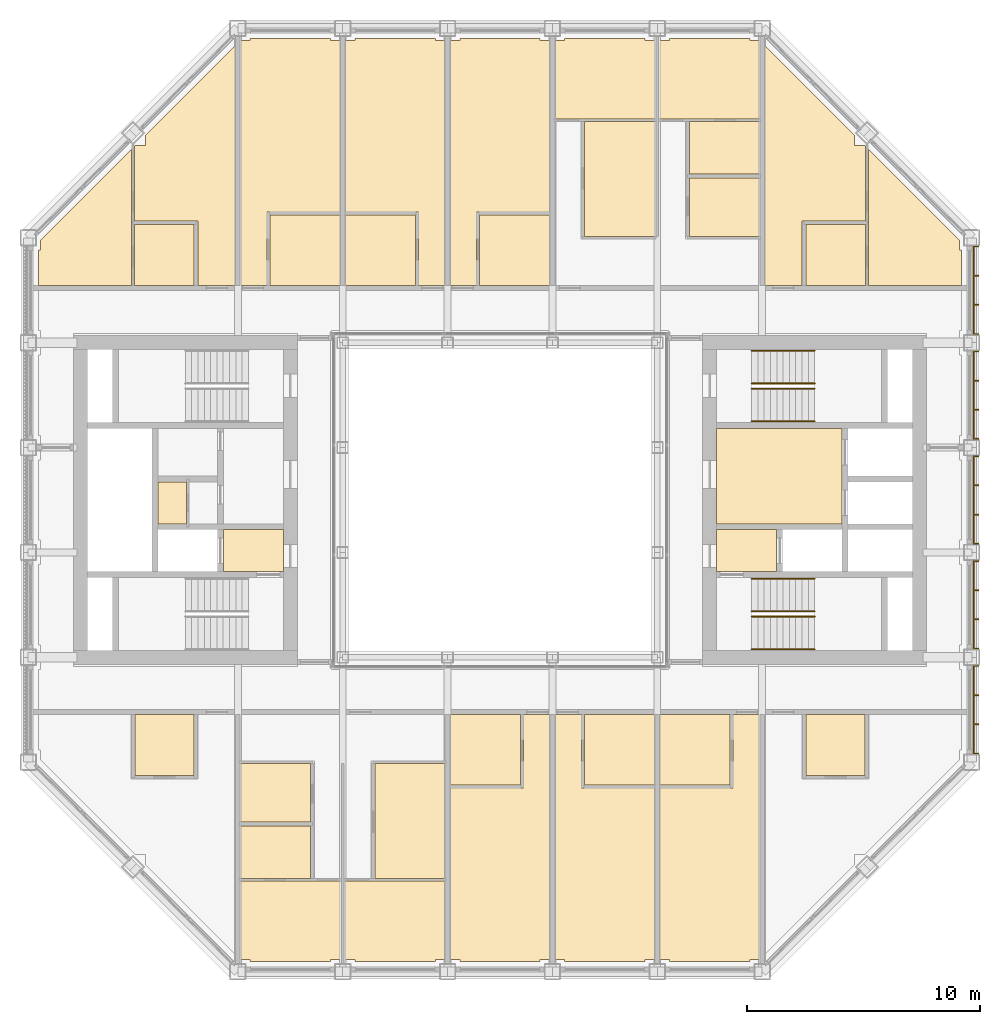
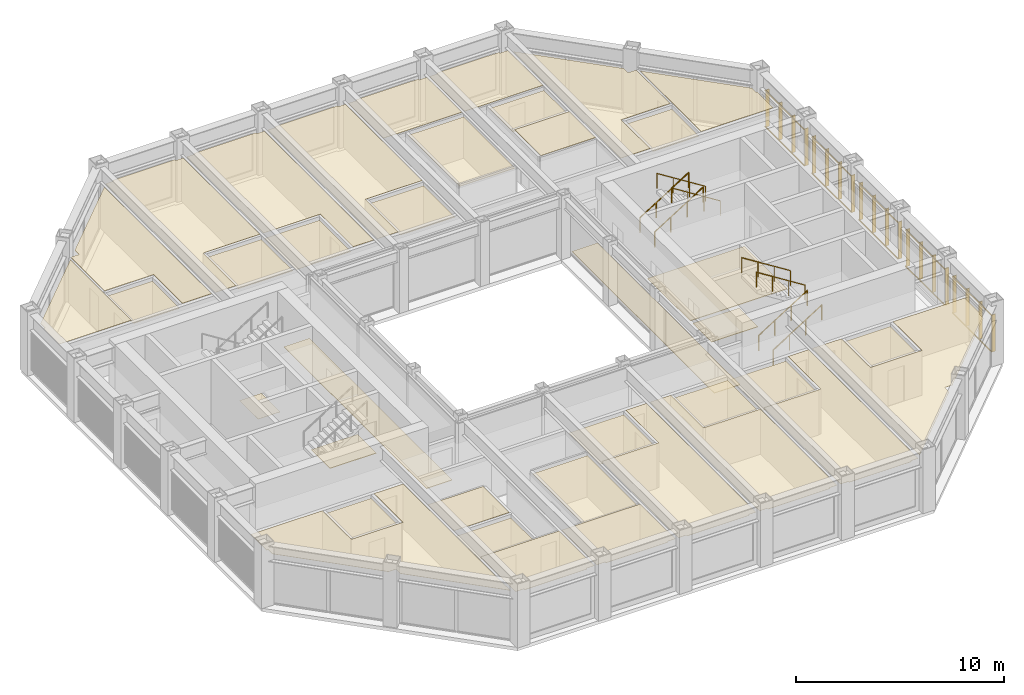
# One storey, part 17 of 18: 8 railings, 4 coverings, 1 shading device.
"""IFC4 building model written with IfcOpenShell, lengths in metres."""

from ifc_helpers import new_model, si_unit, direction, frame, origin, origin_2d, place, context, subcontext, project, spatial, line, indexed_curve, rectangle, circle, outline, extrude, material, layer, layer_set, type_object, element, save


model = new_model("IFC4")

# Units and contexts
model_context = context("Model", 3, precision=1e-05, world=origin(), true_north=direction((0.0, 1.0)))
body_context = subcontext(model_context, "Body", "Model", "MODEL_VIEW")
ifc_project = project(units=[si_unit("LENGTHUNIT", "METRE"), si_unit("AREAUNIT", "SQUARE_METRE"), si_unit("VOLUMEUNIT", "CUBIC_METRE"), si_unit("PLANEANGLEUNIT", "RADIAN"), si_unit("MASSUNIT", "GRAM", prefix="KILO")], contexts=[model_context])

# Site, building, storey
site_placement = place(None, origin())
site = spatial("IfcSite", under=ifc_project, at=site_placement, CompositionType="ELEMENT")
building_placement = place(site_placement, origin())
building = spatial("IfcBuilding", under=site, at=building_placement, Name="Msasa Ring Tower", CompositionType="ELEMENT")
storey_placement = place(building_placement, frame((0.0, 0.0, 230.800048828125)))
storey = spatial("IfcBuildingStorey", under=building, at=storey_placement, Name="L60", CompositionType="ELEMENT", Elevation=230.800048828125)

# Shading device
ifc_material_1 = material(Name="Extruded terracotta on aluminium carriers", Category="masonry")
shading_device_type = type_object("IfcShadingDeviceType", Name="BS2 TERRACOTTA FIN SCREEN 40x200 AT 1350", PredefinedType="USERDEFINED", material=ifc_material_1)
shading_device_placement = place(storey_placement, origin())
element("IfcShadingDevice", 1, at=shading_device_placement, inside=storey, type_object=shading_device_type, Name="Terracotta fin screen E L60", ObjectType="BAGUETTE", PredefinedType="USERDEFINED", context=body_context, shape_type="SweptSolid", body=[
    extrude(rectangle(XDim=0.06005859375, YDim=0.0400390625, at=origin_2d()), frame((20.330078125, -10.89990234375, 0.329833984375), z_axis=(0.0, 1.0, 0.0), x_axis=(0.0, 0.0, 1.0)), (0.0, 0.0, 1.0), 3.800048828125),
    extrude(rectangle(XDim=0.06005859375, YDim=0.0400390625, at=origin_2d()), frame((20.330078125, -10.89990234375, 2.448974609375), z_axis=(0.0, 1.0, 0.0), x_axis=(0.0, 0.0, 1.0)), (0.0, 0.0, 1.0), 3.800048828125),
    extrude(rectangle(XDim=0.0400390625, YDim=0.199951171875, at=origin_2d()), frame((20.445068359375, -10.8798828125, 0.300048828125), z_axis=(0.0, 0.0, 1.0), x_axis=(0.0, 1.0, 0.0)), (0.0, 0.0, 1.0), 2.178955078125),
    extrude(rectangle(XDim=0.0400390625, YDim=0.199951171875, at=origin_2d()), frame((20.445068359375, -9.626708984375, 0.300048828125), z_axis=(0.0, 0.0, 1.0), x_axis=(0.0, 1.0, 0.0)), (0.0, 0.0, 1.0), 2.178955078125),
    extrude(rectangle(XDim=0.0400390625, YDim=0.199951171875, at=origin_2d()), frame((20.445068359375, -8.373291015625, 0.300048828125), z_axis=(0.0, 0.0, 1.0), x_axis=(0.0, 1.0, 0.0)), (0.0, 0.0, 1.0), 2.178955078125),
    extrude(rectangle(XDim=0.0400390625, YDim=0.199951171875, at=origin_2d()), frame((20.445068359375, -7.1201171875, 0.300048828125), z_axis=(0.0, 0.0, 1.0), x_axis=(0.0, 1.0, 0.0)), (0.0, 0.0, 1.0), 2.178955078125),
    extrude(rectangle(XDim=0.06005859375, YDim=0.0400390625, at=origin_2d()), frame((20.330078125, -6.39990234375, 0.329833984375), z_axis=(0.0, 1.0, 0.0), x_axis=(0.0, 0.0, 1.0)), (0.0, 0.0, 1.0), 3.800048828125),
    extrude(rectangle(XDim=0.06005859375, YDim=0.0400390625, at=origin_2d()), frame((20.330078125, -6.39990234375, 2.448974609375), z_axis=(0.0, 1.0, 0.0), x_axis=(0.0, 0.0, 1.0)), (0.0, 0.0, 1.0), 3.800048828125),
    extrude(rectangle(XDim=0.0400390625, YDim=0.199951171875, at=origin_2d()), frame((20.445068359375, -6.3798828125, 0.300048828125), z_axis=(0.0, 0.0, 1.0), x_axis=(0.0, 1.0, 0.0)), (0.0, 0.0, 1.0), 2.178955078125),
    extrude(rectangle(XDim=0.0400390625, YDim=0.199951171875, at=origin_2d()), frame((20.445068359375, -5.126708984375, 0.300048828125), z_axis=(0.0, 0.0, 1.0), x_axis=(0.0, 1.0, 0.0)), (0.0, 0.0, 1.0), 2.178955078125),
    extrude(rectangle(XDim=0.0400390625, YDim=0.199951171875, at=origin_2d()), frame((20.445068359375, -3.873291015625, 0.300048828125), z_axis=(0.0, 0.0, 1.0), x_axis=(0.0, 1.0, 0.0)), (0.0, 0.0, 1.0), 2.178955078125),
    extrude(rectangle(XDim=0.0400390625, YDim=0.199951171875, at=origin_2d()), frame((20.445068359375, -2.6201171875, 0.300048828125), z_axis=(0.0, 0.0, 1.0), x_axis=(0.0, 1.0, 0.0)), (0.0, 0.0, 1.0), 2.178955078125),
    extrude(rectangle(XDim=0.06005859375, YDim=0.0400390625, at=origin_2d()), frame((20.330078125, -1.89990234375, 0.329833984375), z_axis=(0.0, 1.0, 0.0), x_axis=(0.0, 0.0, 1.0)), (0.0, 0.0, 1.0), 3.800048828125),
    extrude(rectangle(XDim=0.06005859375, YDim=0.0400390625, at=origin_2d()), frame((20.330078125, -1.89990234375, 2.448974609375), z_axis=(0.0, 1.0, 0.0), x_axis=(0.0, 0.0, 1.0)), (0.0, 0.0, 1.0), 3.800048828125),
    extrude(rectangle(XDim=0.0400390625, YDim=0.199951171875, at=origin_2d()), frame((20.445068359375, -1.8798828125, 0.300048828125), z_axis=(0.0, 0.0, 1.0), x_axis=(0.0, 1.0, 0.0)), (0.0, 0.0, 1.0), 2.178955078125),
    extrude(rectangle(XDim=0.0400390625, YDim=0.199951171875, at=origin_2d()), frame((20.445068359375, -0.626708984375, 0.300048828125), z_axis=(0.0, 0.0, 1.0), x_axis=(0.0, 1.0, 0.0)), (0.0, 0.0, 1.0), 2.178955078125),
    extrude(rectangle(XDim=0.0400390625, YDim=0.199951171875, at=origin_2d()), frame((20.445068359375, 0.626708984375, 0.300048828125), z_axis=(0.0, 0.0, 1.0), x_axis=(0.0, 1.0, 0.0)), (0.0, 0.0, 1.0), 2.178955078125),
    extrude(rectangle(XDim=0.0400390625, YDim=0.199951171875, at=origin_2d()), frame((20.445068359375, 1.8798828125, 0.300048828125), z_axis=(0.0, 0.0, 1.0), x_axis=(0.0, 1.0, 0.0)), (0.0, 0.0, 1.0), 2.178955078125),
    extrude(rectangle(XDim=0.06005859375, YDim=0.0400390625, at=origin_2d()), frame((20.330078125, 2.60009765625, 0.329833984375), z_axis=(0.0, 1.0, 0.0), x_axis=(0.0, 0.0, 1.0)), (0.0, 0.0, 1.0), 3.800048828125),
    extrude(rectangle(XDim=0.06005859375, YDim=0.0400390625, at=origin_2d()), frame((20.330078125, 2.60009765625, 2.448974609375), z_axis=(0.0, 1.0, 0.0), x_axis=(0.0, 0.0, 1.0)), (0.0, 0.0, 1.0), 3.800048828125),
    extrude(rectangle(XDim=0.0400390625, YDim=0.199951171875, at=origin_2d()), frame((20.445068359375, 2.6201171875, 0.300048828125), z_axis=(0.0, 0.0, 1.0), x_axis=(0.0, 1.0, 0.0)), (0.0, 0.0, 1.0), 2.178955078125),
    extrude(rectangle(XDim=0.0400390625, YDim=0.199951171875, at=origin_2d()), frame((20.445068359375, 3.873291015625, 0.300048828125), z_axis=(0.0, 0.0, 1.0), x_axis=(0.0, 1.0, 0.0)), (0.0, 0.0, 1.0), 2.178955078125),
    extrude(rectangle(XDim=0.0400390625, YDim=0.199951171875, at=origin_2d()), frame((20.445068359375, 5.126708984375, 0.300048828125), z_axis=(0.0, 0.0, 1.0), x_axis=(0.0, 1.0, 0.0)), (0.0, 0.0, 1.0), 2.178955078125),
    extrude(rectangle(XDim=0.0400390625, YDim=0.199951171875, at=origin_2d()), frame((20.445068359375, 6.3798828125, 0.300048828125), z_axis=(0.0, 0.0, 1.0), x_axis=(0.0, 1.0, 0.0)), (0.0, 0.0, 1.0), 2.178955078125),
    extrude(rectangle(XDim=0.06005859375, YDim=0.0400390625, at=origin_2d()), frame((20.330078125, 7.10009765625, 0.329833984375), z_axis=(0.0, 1.0, 0.0), x_axis=(0.0, 0.0, 1.0)), (0.0, 0.0, 1.0), 3.800048828125),
    extrude(rectangle(XDim=0.06005859375, YDim=0.0400390625, at=origin_2d()), frame((20.330078125, 7.10009765625, 2.448974609375), z_axis=(0.0, 1.0, 0.0), x_axis=(0.0, 0.0, 1.0)), (0.0, 0.0, 1.0), 3.800048828125),
    extrude(rectangle(XDim=0.0400390625, YDim=0.199951171875, at=origin_2d()), frame((20.445068359375, 7.1201171875, 0.300048828125), z_axis=(0.0, 0.0, 1.0), x_axis=(0.0, 1.0, 0.0)), (0.0, 0.0, 1.0), 2.178955078125),
    extrude(rectangle(XDim=0.0400390625, YDim=0.199951171875, at=origin_2d()), frame((20.445068359375, 8.373291015625, 0.300048828125), z_axis=(0.0, 0.0, 1.0), x_axis=(0.0, 1.0, 0.0)), (0.0, 0.0, 1.0), 2.178955078125),
    extrude(rectangle(XDim=0.0400390625, YDim=0.199951171875, at=origin_2d()), frame((20.445068359375, 9.626708984375, 0.300048828125), z_axis=(0.0, 0.0, 1.0), x_axis=(0.0, 1.0, 0.0)), (0.0, 0.0, 1.0), 2.178955078125),
    extrude(rectangle(XDim=0.0400390625, YDim=0.199951171875, at=origin_2d()), frame((20.445068359375, 10.8798828125, 0.300048828125), z_axis=(0.0, 0.0, 1.0), x_axis=(0.0, 1.0, 0.0)), (0.0, 0.0, 1.0), 2.178955078125),
])

# Coverings
ifc_material_2 = material(Name="Gypsum plasterboard on a steel suspension grid", Category="steel")
ifc_layer_1 = layer(ifc_material_2, 0.014892578125)
ifc_layer_set_1 = layer_set([ifc_layer_1], Name="C1 SUSPENDED PLASTERBOARD CEILING 15")
covering_type_1 = type_object("IfcCoveringType", Name="C1 SUSPENDED PLASTERBOARD CEILING 15", PredefinedType="CEILING", material=ifc_layer_set_1)
covering_1_placement = place(storey_placement, frame((0.0, 0.0, 2.634033203125)))
element("IfcCovering", 2, at=covering_1_placement, inside=storey, type_object=covering_type_1, Name="Suspended Plasterboard Ceiling 15 L60", PredefinedType="CEILING", context=body_context, shape_type="SweptSolid", body=[
    extrude(outline(indexed_curve([(-12.969482421875, -11.98046875), (-12.969482421875, -9.200439453125), (-11.3505859375, -9.200439453125), (-11.3505859375, -19.512451171875), (-15.224609375, -15.638427734375), (-15.224609375, -15.224609375), (-15.638427734375, -15.224609375), (-19.724609375, -11.138427734375), (-19.724609375, -10.724609375), (-19.799560546875, -10.724609375), (-19.799560546875, -9.200439453125), (-15.83056640625, -9.200439453125), (-15.83056640625, -11.98046875)], segments=[line(1, 2, 3, 4, 5, 6, 7, 8, 9, 10, 11, 12, 13, 1)], self_intersect=False)), origin(), (0.0, 0.0, 1.0), 0.014892578125),
    extrude(outline(indexed_curve([(-19.799560546875, 9.200439453125), (-19.799560546875, 10.724609375), (-19.724609375, 10.724609375), (-19.724609375, 11.138427734375), (-15.810546875, 15.052490234375), (-15.810546875, 9.200439453125)], segments=[line(1, 2, 3, 4, 5, 6, 1)], self_intersect=False)), origin(), (0.0, 0.0, 1.0), 0.014892578125),
    extrude(outline(indexed_curve([(-15.638427734375, 15.224609375), (-15.224609375, 15.224609375), (-15.224609375, 15.638427734375), (-11.3505859375, 19.512451171875), (-11.3505859375, 9.200439453125), (-12.969482421875, 9.200439453125), (-12.969482421875, 11.98046875), (-15.689453125, 11.98046875), (-15.689453125, 15.17333984375)], segments=[line(1, 2, 3, 4, 5, 6, 7, 8, 9, 1)], self_intersect=False)), origin(), (0.0, 0.0, 1.0), 0.014892578125),
    extrude(outline(indexed_curve([(-14.674560546875, 0.7744140625), (-13.45556640625, 0.7744140625), (-13.45556640625, -1.0244140625), (-14.674560546875, -1.0244140625)], segments=[line(1, 2, 3, 4, 1)], self_intersect=False)), origin(), (0.0, 0.0, 1.0), 0.014892578125),
    extrude(outline(indexed_curve([(-11.189453125, -16.35546875), (-6.810546875, -16.35546875), (-6.810546875, -19.724609375), (-7.275390625, -19.724609375), (-7.275390625, -19.799560546875), (-10.724609375, -19.799560546875), (-10.724609375, -19.724609375), (-11.138427734375, -19.724609375), (-11.189453125, -19.67333984375)], segments=[line(1, 2, 3, 4, 5, 6, 7, 8, 9, 1)], self_intersect=False)), origin(), (0.0, 0.0, 1.0), 0.014892578125),
    extrude(outline(indexed_curve([(-11.189453125, -11.305419921875), (-8.130615234375, -11.305419921875), (-8.130615234375, -13.819580078125), (-11.189453125, -13.819580078125)], segments=[line(1, 2, 3, 4, 1)], self_intersect=False)), origin(), (0.0, 0.0, 1.0), 0.014892578125),
    extrude(outline(indexed_curve([(-11.1494140625, 9.200439453125), (-11.1494140625, 19.71337890625), (-11.138427734375, 19.724609375), (-10.724609375, 19.724609375), (-10.724609375, 19.799560546875), (-7.275390625, 19.799560546875), (-7.275390625, 19.724609375), (-6.8505859375, 19.724609375), (-6.8505859375, 12.3505859375), (-10.00048828125, 12.3505859375), (-10.00048828125, 9.200439453125)], segments=[line(1, 2, 3, 4, 5, 6, 7, 8, 9, 10, 11, 1)], self_intersect=False)), origin(), (0.0, 0.0, 1.0), 0.014892578125),
    extrude(outline(indexed_curve([(-2.310546875, -16.35546875), (-2.310546875, -19.724609375), (-2.775390625, -19.724609375), (-2.775390625, -19.799560546875), (-6.224609375, -19.799560546875), (-6.224609375, -19.724609375), (-6.689453125, -19.724609375), (-6.689453125, -16.35546875)], segments=[line(1, 2, 3, 4, 5, 6, 7, 8, 1)], self_intersect=False)), origin(), (0.0, 0.0, 1.0), 0.014892578125),
    extrude(outline(indexed_curve([(-2.3505859375, 9.200439453125), (-3.49951171875, 9.200439453125), (-3.49951171875, 12.3505859375), (-6.6494140625, 12.3505859375), (-6.6494140625, 19.724609375), (-6.224609375, 19.724609375), (-6.224609375, 19.799560546875), (-2.775390625, 19.799560546875), (-2.775390625, 19.724609375), (-2.3505859375, 19.724609375)], segments=[line(1, 2, 3, 4, 5, 6, 7, 8, 9, 10, 1)], self_intersect=False)), origin(), (0.0, 0.0, 1.0), 0.014892578125),
    extrude(outline(indexed_curve([(2.1494140625, -9.200439453125), (2.1494140625, -19.724609375), (1.724609375, -19.724609375), (1.724609375, -19.799560546875), (-1.724609375, -19.799560546875), (-1.724609375, -19.724609375), (-2.1494140625, -19.724609375), (-2.1494140625, -12.3505859375), (1.00048828125, -12.3505859375), (1.00048828125, -9.200439453125)], segments=[line(1, 2, 3, 4, 5, 6, 7, 8, 9, 10, 1)], self_intersect=False)), origin(), (0.0, 0.0, 1.0), 0.014892578125),
    extrude(outline(indexed_curve([(-2.1494140625, 9.200439453125), (-2.1494140625, 19.724609375), (-1.724609375, 19.724609375), (-1.724609375, 19.799560546875), (1.724609375, 19.799560546875), (1.724609375, 19.724609375), (2.1494140625, 19.724609375), (2.1494140625, 12.3505859375), (-1.00048828125, 12.3505859375), (-1.00048828125, 9.200439453125)], segments=[line(1, 2, 3, 4, 5, 6, 7, 8, 9, 10, 1)], self_intersect=False)), origin(), (0.0, 0.0, 1.0), 0.014892578125),
    extrude(outline(indexed_curve([(2.310546875, 19.724609375), (2.775390625, 19.724609375), (2.775390625, 19.799560546875), (6.224609375, 19.799560546875), (6.224609375, 19.724609375), (6.689453125, 19.724609375), (6.689453125, 16.35546875), (2.310546875, 16.35546875)], segments=[line(1, 2, 3, 4, 5, 6, 7, 8, 1)], self_intersect=False)), origin(), (0.0, 0.0, 1.0), 0.014892578125),
    extrude(outline(indexed_curve([(2.775390625, -19.799560546875), (2.775390625, -19.724609375), (2.3505859375, -19.724609375), (2.3505859375, -9.200439453125), (3.49951171875, -9.200439453125), (3.49951171875, -12.3505859375), (6.6494140625, -12.3505859375), (6.6494140625, -19.724609375), (6.224609375, -19.724609375), (6.224609375, -19.799560546875)], segments=[line(1, 2, 3, 4, 5, 6, 7, 8, 9, 10, 1)], self_intersect=False)), origin(), (0.0, 0.0, 1.0), 0.014892578125),
    extrude(outline(indexed_curve([(6.810546875, 16.35546875), (6.810546875, 19.724609375), (7.275390625, 19.724609375), (7.275390625, 19.799560546875), (10.724609375, 19.799560546875), (10.724609375, 19.724609375), (11.138427734375, 19.724609375), (11.189453125, 19.67333984375), (11.189453125, 16.35546875)], segments=[line(1, 2, 3, 4, 5, 6, 7, 8, 9, 1)], self_intersect=False)), origin(), (0.0, 0.0, 1.0), 0.014892578125),
    extrude(outline(indexed_curve([(11.1494140625, -9.200439453125), (11.1494140625, -19.71337890625), (11.138427734375, -19.724609375), (10.724609375, -19.724609375), (10.724609375, -19.799560546875), (7.275390625, -19.799560546875), (7.275390625, -19.724609375), (6.8505859375, -19.724609375), (6.8505859375, -12.3505859375), (10.00048828125, -12.3505859375), (10.00048828125, -9.200439453125)], segments=[line(1, 2, 3, 4, 5, 6, 7, 8, 9, 10, 11, 1)], self_intersect=False)), origin(), (0.0, 0.0, 1.0), 0.014892578125),
    extrude(outline(indexed_curve([(8.130615234375, 13.819580078125), (11.189453125, 13.819580078125), (11.189453125, 11.305419921875), (8.130615234375, 11.305419921875)], segments=[line(1, 2, 3, 4, 1)], self_intersect=False)), origin(), (0.0, 0.0, 1.0), 0.014892578125),
    extrude(outline(indexed_curve([(19.799560546875, -10.724609375), (19.724609375, -10.724609375), (19.724609375, -11.138427734375), (15.638427734375, -15.224609375), (15.224609375, -15.224609375), (15.224609375, -15.638427734375), (11.3505859375, -19.512451171875), (11.3505859375, -9.200439453125), (12.969482421875, -9.200439453125), (12.969482421875, -11.98046875), (15.83056640625, -11.98046875), (15.83056640625, -9.200439453125), (19.799560546875, -9.200439453125)], segments=[line(1, 2, 3, 4, 5, 6, 7, 8, 9, 10, 11, 12, 13, 1)], self_intersect=False)), origin(), (0.0, 0.0, 1.0), 0.014892578125),
    extrude(outline(indexed_curve([(11.3505859375, 9.200439453125), (11.3505859375, 19.512451171875), (15.224609375, 15.638427734375), (15.224609375, 15.224609375), (15.638427734375, 15.224609375), (15.689453125, 15.17333984375), (15.689453125, 11.98046875), (12.969482421875, 11.98046875), (12.969482421875, 9.200439453125)], segments=[line(1, 2, 3, 4, 5, 6, 7, 8, 9, 1)], self_intersect=False)), origin(), (0.0, 0.0, 1.0), 0.014892578125),
    extrude(outline(indexed_curve([(15.810546875, 15.052490234375), (19.724609375, 11.138427734375), (19.724609375, 10.724609375), (19.799560546875, 10.724609375), (19.799560546875, 9.200439453125), (15.810546875, 9.200439453125)], segments=[line(1, 2, 3, 4, 5, 6, 1)], self_intersect=False)), origin(), (0.0, 0.0, 1.0), 0.014892578125),
])
ifc_material_3 = material(Name="Moisture-resistant gypsum plasterboard on a steel suspension grid", Category="steel")
ifc_layer_2 = layer(ifc_material_3, 0.014892578125)
ifc_layer_set_2 = layer_set([ifc_layer_2], Name="C2 MOISTURE-RESISTANT PLASTERBOARD CEILING 15")
covering_type_2 = type_object("IfcCoveringType", Name="C2 MOISTURE-RESISTANT PLASTERBOARD CEILING 15", PredefinedType="CEILING", material=ifc_layer_set_2)
covering_2_placement = place(storey_placement, frame((0.0, 0.0, 2.39990234375)))
element("IfcCovering", 3, at=covering_2_placement, inside=storey, type_object=covering_type_2, Name="Moisture-Resistant Plasterboard Ceiling 15 L60", PredefinedType="CEILING", context=body_context, shape_type="SweptSolid", body=[
    extrude(outline(indexed_curve([(-15.689453125, 9.200439453125), (-15.689453125, 11.819580078125), (-13.130615234375, 11.819580078125), (-13.130615234375, 9.200439453125)], segments=[line(1, 2, 3, 4, 1)], self_intersect=False)), origin(), (0.0, 0.0, 1.0), 0.01513671875),
    extrude(outline(indexed_curve([(-15.66943359375, -9.200439453125), (-13.130615234375, -9.200439453125), (-13.130615234375, -11.819580078125), (-15.66943359375, -11.819580078125)], segments=[line(1, 2, 3, 4, 1)], self_intersect=False)), origin(), (0.0, 0.0, 1.0), 0.01513671875),
    extrude(outline(indexed_curve([(-11.1494140625, -16.244384765625), (-11.1494140625, -13.98046875), (-8.130615234375, -13.98046875), (-8.130615234375, -16.244384765625)], segments=[line(1, 2, 3, 4, 1)], self_intersect=False)), origin(), (0.0, 0.0, 1.0), 0.01513671875),
    extrude(outline(indexed_curve([(-9.87451171875, 9.200439453125), (-9.87451171875, 12.224609375), (-6.8505859375, 12.224609375), (-6.8505859375, 9.200439453125)], segments=[line(1, 2, 3, 4, 1)], self_intersect=False)), origin(), (0.0, 0.0, 1.0), 0.01513671875),
    extrude(outline(indexed_curve([(-6.6494140625, 9.200439453125), (-6.6494140625, 12.224609375), (-3.62548828125, 12.224609375), (-3.62548828125, 9.200439453125)], segments=[line(1, 2, 3, 4, 1)], self_intersect=False)), origin(), (0.0, 0.0, 1.0), 0.01513671875),
    extrude(outline(indexed_curve([(-2.1494140625, -9.200439453125), (0.87451171875, -9.200439453125), (0.87451171875, -12.224609375), (-2.1494140625, -12.224609375)], segments=[line(1, 2, 3, 4, 1)], self_intersect=False)), origin(), (0.0, 0.0, 1.0), 0.01513671875),
    extrude(outline(indexed_curve([(2.1494140625, 9.200439453125), (-0.87451171875, 9.200439453125), (-0.87451171875, 12.224609375), (2.1494140625, 12.224609375)], segments=[line(1, 2, 3, 4, 1)], self_intersect=False)), origin(), (0.0, 0.0, 1.0), 0.01513671875),
    extrude(outline(indexed_curve([(6.6494140625, -9.200439453125), (6.6494140625, -12.224609375), (3.62548828125, -12.224609375), (3.62548828125, -9.200439453125)], segments=[line(1, 2, 3, 4, 1)], self_intersect=False)), origin(), (0.0, 0.0, 1.0), 0.01513671875),
    extrude(outline(indexed_curve([(9.87451171875, -9.200439453125), (9.87451171875, -12.224609375), (6.8505859375, -12.224609375), (6.8505859375, -9.200439453125)], segments=[line(1, 2, 3, 4, 1)], self_intersect=False)), origin(), (0.0, 0.0, 1.0), 0.01513671875),
    extrude(outline(indexed_curve([(8.130615234375, 16.244384765625), (11.1494140625, 16.244384765625), (11.1494140625, 13.98046875), (8.130615234375, 13.98046875)], segments=[line(1, 2, 3, 4, 1)], self_intersect=False)), origin(), (0.0, 0.0, 1.0), 0.01513671875),
    extrude(outline(indexed_curve([(13.130615234375, -9.200439453125), (15.66943359375, -9.200439453125), (15.66943359375, -11.819580078125), (13.130615234375, -11.819580078125)], segments=[line(1, 2, 3, 4, 1)], self_intersect=False)), origin(), (0.0, 0.0, 1.0), 0.01513671875),
    extrude(outline(indexed_curve([(13.130615234375, 9.200439453125), (13.130615234375, 11.819580078125), (15.689453125, 11.819580078125), (15.689453125, 9.200439453125)], segments=[line(1, 2, 3, 4, 1)], self_intersect=False)), origin(), (0.0, 0.0, 1.0), 0.01513671875),
])
ifc_material_4 = material(Name="Perforated aluminium ceiling pans on a steel grid", Category="steel")
ifc_layer_3 = layer(ifc_material_4, 0.02490234375)
ifc_layer_set_3 = layer_set([ifc_layer_3], Name="C4 PERFORATED METAL PAN CEILING 25")
covering_type_3 = type_object("IfcCoveringType", Name="C4 PERFORATED METAL PAN CEILING 25", PredefinedType="CEILING", material=ifc_layer_set_3)
covering_3_placement = place(storey_placement, frame((0.0, 0.0, 2.39990234375)))
element("IfcCovering", 4, at=covering_3_placement, inside=storey, type_object=covering_type_3, Name="Perforated Metal Pan Ceiling 25 L60", PredefinedType="CEILING", context=body_context, shape_type="SweptSolid", body=[
    extrude(outline(indexed_curve([(-2.3505859375, -11.305419921875), (-2.3505859375, -16.244384765625), (-5.369384765625, -16.244384765625), (-5.369384765625, -11.305419921875)], segments=[line(1, 2, 3, 4, 1)], self_intersect=False)), origin(), (0.0, 0.0, 1.0), 0.025146484375),
    extrude(outline(indexed_curve([(6.689453125, 16.244384765625), (6.689453125, 11.305419921875), (3.630615234375, 11.305419921875), (3.630615234375, 16.244384765625)], segments=[line(1, 2, 3, 4, 1)], self_intersect=False)), origin(), (0.0, 0.0, 1.0), 0.025146484375),
])
ifc_material_5 = material(Name="Honed granite tiles on a mortar bed", Category="masonry")
ifc_layer_4 = layer(ifc_material_5, 0.030029296875)
ifc_layer_set_4 = layer_set([ifc_layer_4], Name="F1 HONED GRANITE ON BEDDING 30")
covering_type_4 = type_object("IfcCoveringType", Name="F1 HONED GRANITE ON BEDDING 30", PredefinedType="FLOORING", material=ifc_layer_set_4)
covering_4_placement = place(storey_placement, origin())
element("IfcCovering", 5, at=covering_4_placement, inside=storey, type_object=covering_type_4, Name="Honed Granite On Bedding 30 L60", PredefinedType="FLOORING", context=body_context, shape_type="SweptSolid", body=[
    extrude(outline(indexed_curve([(-11.87451171875, -3.074462890625), (-11.87451171875, -1.275390625), (-9.300537109375, -1.275390625), (-9.300537109375, -3.074462890625)], segments=[line(1, 2, 3, 4, 1)], self_intersect=False)), origin(), (0.0, 0.0, 1.0), 0.030029296875),
    extrude(outline(indexed_curve([(-8.699462890625, -6.849609375), (-8.699462890625, 6.849609375), (-7.280029296875, 6.849609375), (-7.280029296875, -6.849609375)], segments=[line(1, 2, 3, 4, 1)], self_intersect=False)), origin(), (0.0, 0.0, 1.0), 0.030029296875),
    extrude(outline(indexed_curve([(8.699462890625, 6.849609375), (8.699462890625, -6.849609375), (7.280029296875, -6.849609375), (7.280029296875, 6.849609375)], segments=[line(1, 2, 3, 4, 1)], self_intersect=False)), origin(), (0.0, 0.0, 1.0), 0.030029296875),
    extrude(outline(indexed_curve([(9.300537109375, -3.074462890625), (9.300537109375, -1.275390625), (11.87451171875, -1.275390625), (11.87451171875, -3.074462890625)], segments=[line(1, 2, 3, 4, 1)], self_intersect=False)), origin(), (0.0, 0.0, 1.0), 0.030029296875),
    extrude(outline(indexed_curve([(9.300537109375, 3.074462890625), (14.674560546875, 3.074462890625), (14.674560546875, -1.0244140625), (9.300537109375, -1.0244140625)], segments=[line(1, 2, 3, 4, 1)], self_intersect=False)), origin(), (0.0, 0.0, 1.0), 0.030029296875),
])

# Railings
ifc_material_6 = material(Name="Stainless steel", Category="steel")
railing_type = type_object("IfcRailingType", Name="HR1 HANDRAIL 900", PredefinedType="HANDRAIL", material=ifc_material_6)
for number, where, name in (
    (6, (10.800048828125, -6.39990234375, 0.17041015625), "Handrail stair SEA L60 1"),
    (7, (10.800048828125, -5.0, 0.17041015625), "Handrail stair SEA L60 2"),
):
    element("IfcRailing", number, at=place(storey_placement, frame(where)), inside=storey, type_object=railing_type, Name=name, PredefinedType="HANDRAIL", context=body_context, shape_type="SweptSolid", body=[
        extrude(circle(Radius=0.02392578125, at=origin_2d()), frame((0.0, 0.0, 0.8759765625), z_axis=(0.845579735284, 0.0, 0.533849146555), x_axis=(0.0, 1.0, 0.0)), (0.0, 0.0, 1.0), 3.193115234375),
        extrude(circle(Radius=0.02099609375, at=origin_2d()), origin(), (0.0, 0.0, 1.0), 0.851806640625),
        extrude(circle(Radius=0.02099609375, at=origin_2d()), frame((0.89990234375, 0.0, 0.568115234375)), (0.0, 0.0, 1.0), 0.851806640625),
        extrude(circle(Radius=0.02099609375, at=origin_2d()), frame((1.800048828125, 0.0, 1.136474609375)), (0.0, 0.0, 1.0), 0.851806640625),
        extrude(circle(Radius=0.02099609375, at=origin_2d()), frame((2.699951171875, 0.0, 1.70458984375)), (0.0, 0.0, 1.0), 0.851806640625),
    ])
for number, where, name in (
    (8, (13.5, -4.77490234375, 2.04541015625), "Handrail stair SEA L60 3"),
    (9, (13.5, -3.375, 2.04541015625), "Handrail stair SEA L60 4"),
):
    element("IfcRailing", number, at=place(storey_placement, frame(where)), inside=storey, type_object=railing_type, Name=name, PredefinedType="HANDRAIL", context=body_context, shape_type="SweptSolid", body=[
        extrude(circle(Radius=0.02392578125, at=origin_2d()), frame((0.0, 0.0, 0.8759765625), z_axis=(-0.845579735284, 0.0, 0.533849146555), x_axis=(0.0, -1.0, 0.0)), (0.0, 0.0, 1.0), 3.193115234375),
        extrude(circle(Radius=0.02099609375, at=origin_2d()), origin(), (0.0, 0.0, 1.0), 0.851806640625),
        extrude(circle(Radius=0.02099609375, at=origin_2d()), frame((-0.89990234375, 0.0, 0.568115234375)), (0.0, 0.0, 1.0), 0.851806640625),
        extrude(circle(Radius=0.02099609375, at=origin_2d()), frame((-1.800048828125, 0.0, 1.136474609375)), (0.0, 0.0, 1.0), 0.851806640625),
        extrude(circle(Radius=0.02099609375, at=origin_2d()), frame((-2.699951171875, 0.0, 1.70458984375)), (0.0, 0.0, 1.0), 0.851806640625),
    ])
for number, where, name in (
    (10, (10.800048828125, 5.0, 0.17041015625), "Handrail stair SEB L60 1"),
    (11, (10.800048828125, 6.39990234375, 0.17041015625), "Handrail stair SEB L60 2"),
):
    element("IfcRailing", number, at=place(storey_placement, frame(where)), inside=storey, type_object=railing_type, Name=name, PredefinedType="HANDRAIL", context=body_context, shape_type="SweptSolid", body=[
        extrude(circle(Radius=0.02392578125, at=origin_2d()), frame((0.0, 0.0, 0.8759765625), z_axis=(0.845579735284, 0.0, 0.533849146555), x_axis=(0.0, 1.0, 0.0)), (0.0, 0.0, 1.0), 3.193115234375),
        extrude(circle(Radius=0.02099609375, at=origin_2d()), origin(), (0.0, 0.0, 1.0), 0.851806640625),
        extrude(circle(Radius=0.02099609375, at=origin_2d()), frame((0.89990234375, 0.0, 0.568115234375)), (0.0, 0.0, 1.0), 0.851806640625),
        extrude(circle(Radius=0.02099609375, at=origin_2d()), frame((1.800048828125, 0.0, 1.136474609375)), (0.0, 0.0, 1.0), 0.851806640625),
        extrude(circle(Radius=0.02099609375, at=origin_2d()), frame((2.699951171875, 0.0, 1.70458984375)), (0.0, 0.0, 1.0), 0.851806640625),
    ])
for number, where, name in (
    (12, (13.5, 3.375, 2.04541015625), "Handrail stair SEB L60 3"),
    (13, (13.5, 4.77490234375, 2.04541015625), "Handrail stair SEB L60 4"),
):
    element("IfcRailing", number, at=place(storey_placement, frame(where)), inside=storey, type_object=railing_type, Name=name, PredefinedType="HANDRAIL", context=body_context, shape_type="SweptSolid", body=[
        extrude(circle(Radius=0.02392578125, at=origin_2d()), frame((0.0, 0.0, 0.8759765625), z_axis=(-0.845579735284, 0.0, 0.533849146555), x_axis=(0.0, -1.0, 0.0)), (0.0, 0.0, 1.0), 3.193115234375),
        extrude(circle(Radius=0.02099609375, at=origin_2d()), origin(), (0.0, 0.0, 1.0), 0.851806640625),
        extrude(circle(Radius=0.02099609375, at=origin_2d()), frame((-0.89990234375, 0.0, 0.568115234375)), (0.0, 0.0, 1.0), 0.851806640625),
        extrude(circle(Radius=0.02099609375, at=origin_2d()), frame((-1.800048828125, 0.0, 1.136474609375)), (0.0, 0.0, 1.0), 0.851806640625),
        extrude(circle(Radius=0.02099609375, at=origin_2d()), frame((-2.699951171875, 0.0, 1.70458984375)), (0.0, 0.0, 1.0), 0.851806640625),
    ])

save(model, "model.ifc")
